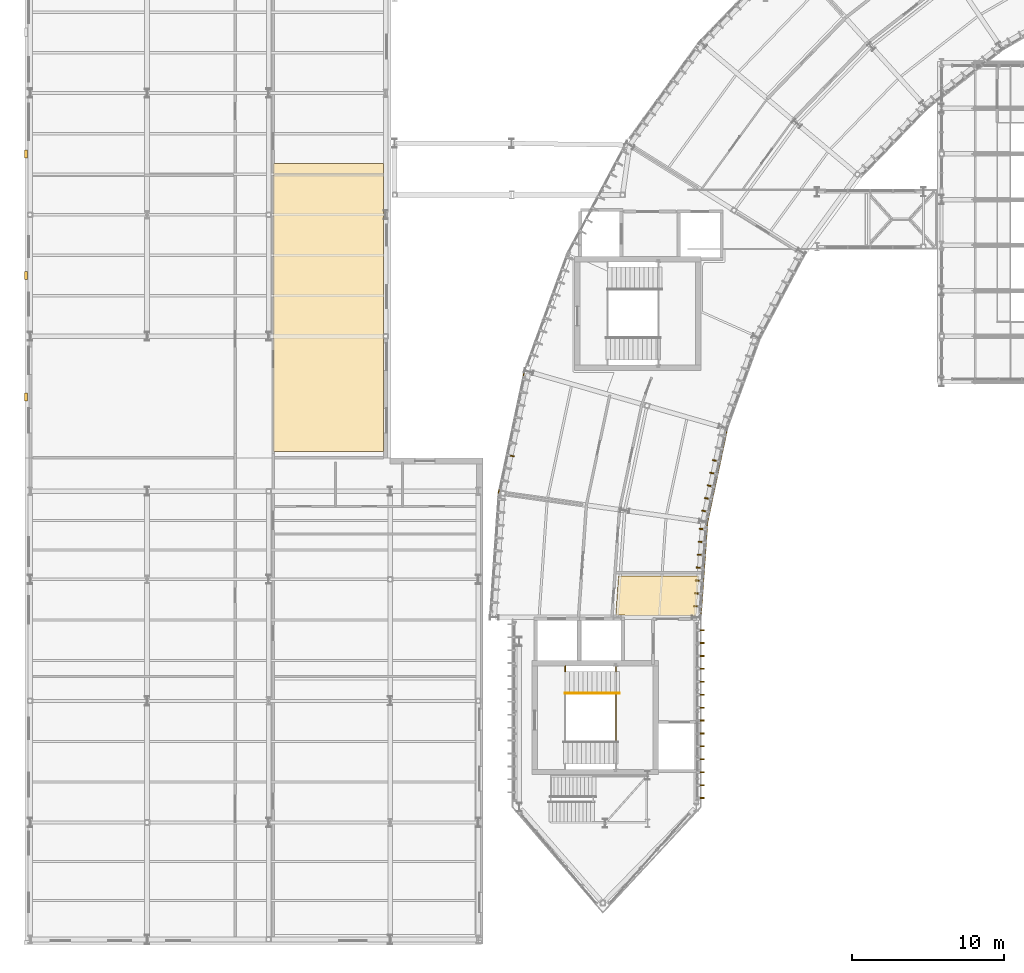
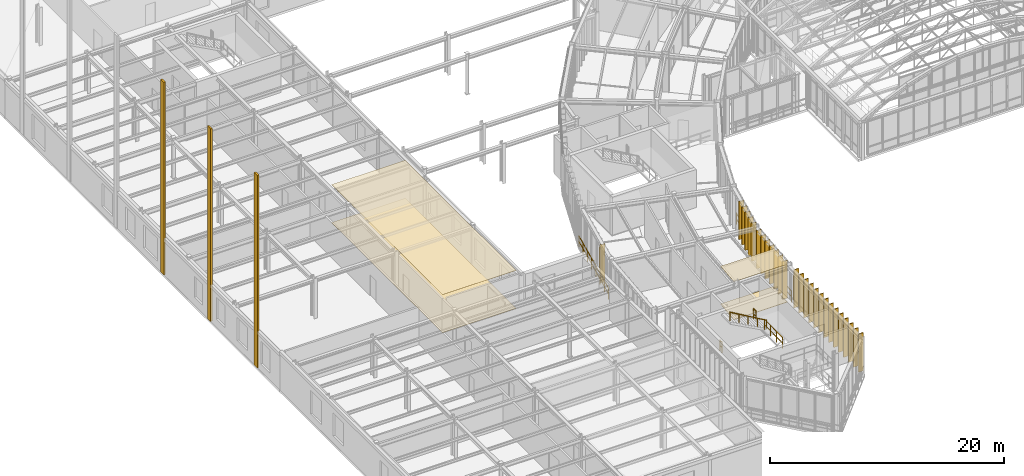
# One storey, part 138 of 148: 34 coverings, 7 railings.
"""IFC4 building model written with IfcOpenShell, lengths in metres."""

from ifc_helpers import new_model, si_unit, direction, frame, origin, origin_2d, place, context, subcontext, project, spatial, polyline, rectangle, circle, outline, extrude, material, layer, layer_set, type_object, element, save


model = new_model("IFC4")

# Units and contexts
model_context = context("Model", 3, precision=1e-05, world=origin(), true_north=direction((0.0, 1.0)))
body_context = subcontext(model_context, "Body", "Model", "MODEL_VIEW")
ifc_project = project(units=[si_unit("LENGTHUNIT", "METRE"), si_unit("AREAUNIT", "SQUARE_METRE"), si_unit("VOLUMEUNIT", "CUBIC_METRE"), si_unit("PLANEANGLEUNIT", "RADIAN"), si_unit("MASSUNIT", "GRAM", prefix="KILO"), si_unit("THERMODYNAMICTEMPERATUREUNIT", "KELVIN"), si_unit("POWERUNIT", "WATT")], contexts=[model_context])

# Site, building, storey
site_placement = place(None, origin())
site = spatial("IfcSite", under=ifc_project, at=site_placement, CompositionType="ELEMENT")
building_placement = place(site_placement, origin())
building = spatial("IfcBuilding", under=site, at=building_placement, Name="Solvatero Civic Police Headquarters", CompositionType="ELEMENT")
storey_placement = place(building_placement, frame((0.0, 0.0, 5.10009765625)))
storey = spatial("IfcBuildingStorey", under=building, at=storey_placement, Name="L01", CompositionType="ELEMENT", Elevation=5.10009765625)

# Coverings
ifc_material_1 = material(Name="Mineral-Fibre Acoustic Tile", Category="gypsum")
ifc_layer_1 = layer(ifc_material_1, 0.02490234375)
ifc_layer_set_1 = layer_set([ifc_layer_1], Name="Mineral-Fibre Acoustic Tile")
covering_type_1 = type_object("IfcCoveringType", Name="COV-CEIL-AC", PredefinedType="CEILING", material=ifc_layer_set_1)
covering_1_placement = place(storey_placement, frame((0.0, 0.0, 3.954833984375)))
element("IfcCovering", 1, at=covering_1_placement, inside=storey, type_object=covering_type_1, Name="Acoustic Ceiling Latent Fingerprint Cyanoacrylate and AFIS Lab", PredefinedType="CEILING", context=body_context, shape_type="SweptSolid", body=[
    extrude(outline(polyline([(28.080078125, 55.8798828125), (28.080078125, 36.919921875), (20.820068359375, 36.919921875), (20.820068359375, 55.8798828125), (28.080078125, 55.8798828125)])), origin(), (0.0, 0.0, 1.0), 0.025146484375),
])
covering_2_placement = place(storey_placement, frame((0.0, 0.0, 3.954833984375)))
element("IfcCovering", 2, at=covering_2_placement, inside=storey, type_object=covering_type_1, Name="Acoustic Ceiling L01 Operations Wing Accessible Restroom", PredefinedType="CEILING", context=body_context, shape_type="SweptSolid", body=[
    extrude(outline(polyline([(44.0126953125, 26.1201171875), (44.0107421875, 26.121826171875), (44.00439453125, 26.12646484375), (43.997802734375, 26.130615234375), (43.990478515625, 26.1337890625), (43.983154296875, 26.13671875), (43.9755859375, 26.138427734375), (43.9677734375, 26.1396484375), (43.9599609375, 26.139892578125), (43.35009765625, 26.139892578125), (43.53125, 28.72998046875), (48.820556640625, 28.72998046875), (48.63818359375, 26.1201171875), (44.0126953125, 26.1201171875)])), origin(), (0.0, 0.0, 1.0), 0.025146484375),
])
ifc_material_2 = material(Name="Anodized Bronze Aluminium", Category="aluminium")
ifc_layer_2 = layer(ifc_material_2, 0.080078125)
ifc_layer_set_2 = layer_set([ifc_layer_2], Name="Anodized Bronze Aluminium")
covering_type_2 = type_object("IfcCoveringType", Name="COV-FIN-480", PredefinedType="CLADDING", material=ifc_layer_set_2)
for number, where, z_axis, x_axis, name in (
    (3, (36.42822265625, 36.643798828125, -0.02001953125), (0.0, 0.0, 1.0), (-0.207911690818, -0.978147600734, 0.0), "Vertical Brise-Soleil Fin 0313"),
    (4, (49.9599609375, 36.30517578125, -0.02001953125), (0.0, 0.0, 1.0), (-0.207911690818, -0.978147600734, 0.0), "Vertical Brise-Soleil Fin 0318"),
    (5, (49.783203125, 35.4736328125, -0.02001953125), (0.0, 0.0, 1.0), (-0.207911690818, -0.978147600734, 0.0), "Vertical Brise-Soleil Fin 0319"),
    (6, (49.606689453125, 34.64208984375, -0.02001953125), (0.0, 0.0, 1.0), (-0.207911690818, -0.978147600734, 0.0), "Vertical Brise-Soleil Fin 0320"),
    (7, (49.429931640625, 33.810791015625, -0.02001953125), (0.0, 0.0, 1.0), (-0.207911690818, -0.978147600734, 0.0), "Vertical Brise-Soleil Fin 0321"),
    (8, (49.253173828125, 32.9794921875, -0.02001953125), (0.0, 0.0, 1.0), (-0.207911690818, -0.978147600734, 0.0), "Vertical Brise-Soleil Fin 0322"),
    (9, (49.07568359375, 31.809326171875, -0.02001953125), (0.0, 0.0, 1.0), (-0.069739062956, -0.997565267588, 0.0), "Vertical Brise-Soleil Fin 0332"),
    (10, (49.016357421875, 30.96142578125, -0.02001953125), (0.0, 0.0, 1.0), (-0.069739062956, -0.997565267588, 0.0), "Vertical Brise-Soleil Fin 0333"),
    (11, (48.95703125, 30.113525390625, -0.02001953125), (0.0, 0.0, 1.0), (-0.069739062956, -0.997565267588, 0.0), "Vertical Brise-Soleil Fin 0334"),
    (12, (48.897705078125, 29.265380859375, -0.02001953125), (0.0, 0.0, 1.0), (-0.069739062956, -0.997565267588, 0.0), "Vertical Brise-Soleil Fin 0335"),
    (13, (48.83837890625, 28.41748046875, -0.02001953125), (0.0, 0.0, 1.0), (-0.069739062956, -0.997565267588, 0.0), "Vertical Brise-Soleil Fin 0336"),
    (14, (48.779296875, 27.569580078125, -0.02001953125), (0.0, 0.0, 1.0), (-0.069739062956, -0.997565267588, 0.0), "Vertical Brise-Soleil Fin 0337"),
    (15, (48.719970703125, 26.7216796875, -0.02001953125), (0.0, 0.0, 1.0), (-0.069739062956, -0.997565267588, 0.0), "Vertical Brise-Soleil Fin 0338"),
    (16, (48.929931640625, 14.110107421875, -0.02001953125), (0.0, 0.0, 1.0), (0.0, 1.0, 0.0), "Vertical Brise-Soleil Fin 0353"),
    (17, (48.929931640625, 14.9599609375, -0.02001953125), (0.0, 0.0, 1.0), (0.0, 1.0, 0.0), "Vertical Brise-Soleil Fin 0354"),
    (18, (48.929931640625, 15.81005859375, -0.02001953125), (0.0, 0.0, 1.0), (0.0, 1.0, 0.0), "Vertical Brise-Soleil Fin 0355"),
    (19, (48.929931640625, 16.659912109375, -0.02001953125), (0.0, 0.0, 1.0), (0.0, 1.0, 0.0), "Vertical Brise-Soleil Fin 0356"),
    (20, (48.929931640625, 17.510009765625, -0.02001953125), (0.0, 0.0, 1.0), (0.0, 1.0, 0.0), "Vertical Brise-Soleil Fin 0357"),
    (21, (48.929931640625, 18.360107421875, -0.02001953125), (0.0, 0.0, 1.0), (0.0, 1.0, 0.0), "Vertical Brise-Soleil Fin 0358"),
    (22, (48.929931640625, 19.2099609375, -0.02001953125), (0.0, 0.0, 1.0), (0.0, 1.0, 0.0), "Vertical Brise-Soleil Fin 0359"),
    (23, (48.929931640625, 20.06005859375, -0.02001953125), (0.0, 0.0, 1.0), (0.0, 1.0, 0.0), "Vertical Brise-Soleil Fin 0360"),
    (24, (48.929931640625, 20.909912109375, -0.02001953125), (0.0, 0.0, 1.0), (0.0, 1.0, 0.0), "Vertical Brise-Soleil Fin 0361"),
    (25, (48.929931640625, 21.760009765625, -0.02001953125), (0.0, 0.0, 1.0), (0.0, 1.0, 0.0), "Vertical Brise-Soleil Fin 0362"),
    (26, (48.929931640625, 22.610107421875, -0.02001953125), (0.0, 0.0, 1.0), (0.0, 1.0, 0.0), "Vertical Brise-Soleil Fin 0363"),
    (27, (48.929931640625, 23.4599609375, -0.02001953125), (0.0, 0.0, 1.0), (0.0, 1.0, 0.0), "Vertical Brise-Soleil Fin 0364"),
    (28, (48.929931640625, 24.31005859375, -0.02001953125), (0.0, 0.0, 1.0), (0.0, 1.0, 0.0), "Vertical Brise-Soleil Fin 0365"),
    (29, (48.929931640625, 25.159912109375, -0.02001953125), (0.0, 0.0, 1.0), (0.0, 1.0, 0.0), "Vertical Brise-Soleil Fin 0366"),
):
    element("IfcCovering", number, at=place(storey_placement, frame(where, z_axis=z_axis, x_axis=x_axis)), inside=storey, type_object=covering_type_2, Name=name, PredefinedType="CLADDING", context=body_context, shape_type="SweptSolid", body=[
        extrude(rectangle(XDim=0.080078125, YDim=0.47998046875, at=origin_2d()), origin(), (0.0, 0.0, 1.0), 3.97998046875),
    ])
ifc_material_3 = material(Name="Anti-Static Laboratory Epoxy", Category="plastic")
ifc_layer_3 = layer(ifc_material_3, 0.014892578125)
ifc_layer_set_3 = layer_set([ifc_layer_3], Name="Anti-Static Laboratory Epoxy")
covering_type_3 = type_object("IfcCoveringType", Name="COV-FLR-EPX", PredefinedType="FLOORING", material=ifc_layer_set_3)
covering_3_placement = place(storey_placement, origin())
element("IfcCovering", 30, at=covering_3_placement, inside=storey, type_object=covering_type_3, Name="Flooring Latent Fingerprint Cyanoacrylate and AFIS Lab", PredefinedType="FLOORING", context=body_context, shape_type="SweptSolid", body=[
    extrude(outline(polyline([(28.080078125, 55.8798828125), (28.080078125, 36.919921875), (20.820068359375, 36.919921875), (20.820068359375, 55.8798828125), (28.080078125, 55.8798828125)])), origin(), (0.0, 0.0, 1.0), 0.014892578125),
])
ifc_material_4 = material(Name="Venetian Terrazzo Stone", Category="masonry")
ifc_layer_4 = layer(ifc_material_4, 0.034912109375)
ifc_layer_set_4 = layer_set([ifc_layer_4], Name="Venetian Terrazzo Stone")
covering_type_4 = type_object("IfcCoveringType", Name="COV-FLR-TER", PredefinedType="FLOORING", material=ifc_layer_set_4)
covering_4_placement = place(storey_placement, origin())
element("IfcCovering", 31, at=covering_4_placement, inside=storey, type_object=covering_type_4, Name="Flooring L01 Operations Wing Accessible Restroom", PredefinedType="FLOORING", context=body_context, shape_type="SweptSolid", body=[
    extrude(outline(polyline([(44.0126953125, 26.1201171875), (44.0107421875, 26.121826171875), (44.00439453125, 26.12646484375), (43.997802734375, 26.130615234375), (43.990478515625, 26.1337890625), (43.983154296875, 26.13671875), (43.9755859375, 26.138427734375), (43.9677734375, 26.1396484375), (43.9599609375, 26.139892578125), (43.35009765625, 26.139892578125), (43.53125, 28.72998046875), (48.820556640625, 28.72998046875), (48.63818359375, 26.1201171875), (44.0126953125, 26.1201171875)])), origin(), (0.0, 0.0, 1.0), 0.034912109375),
])
ifc_material_5 = material(Name="Cream Limestone Ashlar", Category="masonry")
ifc_layer_5 = layer(ifc_material_5, 0.10009765625)
ifc_layer_set_5 = layer_set([ifc_layer_5], Name="Cream Limestone Ashlar")
covering_type_5 = type_object("IfcCoveringType", Name="COV-TRIM-STONE", PredefinedType="CLADDING", material=ifc_layer_set_5)
for number, where, z_axis, x_axis, name in (
    (32, (4.5400390625, 40.5, 0.0498046875), (0.0, 0.0, 1.0), (1.0, 0.0, 0.0), "Classical Limestone Trim PIL-V6-W-40"),
    (33, (4.5400390625, 48.5, 0.0498046875), (0.0, 0.0, 1.0), (1.0, 0.0, 0.0), "Classical Limestone Trim PIL-V6-W-48"),
    (34, (4.5400390625, 56.5, 0.0498046875), (0.0, 0.0, 1.0), (1.0, 0.0, 0.0), "Classical Limestone Trim PIL-V6-W-56"),
):
    element("IfcCovering", number, at=place(storey_placement, frame(where, z_axis=z_axis, x_axis=x_axis)), inside=storey, type_object=covering_type_5, Name=name, PredefinedType="CLADDING", context=body_context, shape_type="SweptSolid", body=[
        extrude(rectangle(XDim=0.179931640625, YDim=0.550048828125, at=origin_2d()), origin(), (0.0, 0.0, 1.0), 20.10009765625),
    ])

# Railings
ifc_material_6 = material(Name="Anodized Bronze and Laminated Glass", Category="glass")
railing_type_1 = type_object("IfcRailingType", Name="RL-BAL-115", PredefinedType="BALUSTRADE", material=ifc_material_6)
railing_1_placement = place(storey_placement, frame((50.685546875, 38.420166015625, 0.0)))
element("IfcRailing", 35, at=railing_1_placement, inside=storey, type_object=railing_type_1, Name="Glazed Facade Sill Balustrade RL-L01-ARCIN-B11", PredefinedType="BALUSTRADE", context=body_context, shape_type="SweptSolid", body=[
    extrude(circle(Radius=0.02392578125, at=origin_2d()), frame((0.0, 0.0, 1.1259765625), z_axis=(-0.207924245306, -0.978144932111, 0.0), x_axis=(0.978144932111, -0.207924245306, 0.0)), (0.0, 0.0, 1.0), 6.28662109375),
    extrude(circle(Radius=0.02392578125, at=origin_2d()), frame((0.0, 0.0, 0.55078125), z_axis=(-0.207924245306, -0.978144932111, 0.0), x_axis=(0.978144932111, -0.207924245306, 0.0)), (0.0, 0.0, 1.0), 6.28662109375),
    extrude(circle(Radius=0.02099609375, at=origin_2d()), origin(), (0.0, 0.0, 1.0), 1.101806640625),
    extrude(circle(Radius=0.02099609375, at=origin_2d()), frame((-0.2177734375, -1.02490234375, 0.0)), (0.0, 0.0, 1.0), 1.101806640625),
    extrude(circle(Radius=0.02099609375, at=origin_2d()), frame((-0.435791015625, -2.0498046875, 0.0)), (0.0, 0.0, 1.0), 1.101806640625),
    extrude(circle(Radius=0.02099609375, at=origin_2d()), frame((-0.653564453125, -3.07470703125, 0.0)), (0.0, 0.0, 1.0), 1.101806640625),
    extrude(circle(Radius=0.02099609375, at=origin_2d()), frame((-0.871337890625, -4.099365234375, 0.0)), (0.0, 0.0, 1.0), 1.101806640625),
    extrude(circle(Radius=0.02099609375, at=origin_2d()), frame((-1.08935546875, -5.124267578125, 0.0)), (0.0, 0.0, 1.0), 1.101806640625),
    extrude(circle(Radius=0.02099609375, at=origin_2d()), frame((-1.30712890625, -6.149169921875, 0.0)), (0.0, 0.0, 1.0), 1.101806640625),
])
railing_2_placement = place(storey_placement, frame((37.34326171875, 42.24609375, 0.0)))
element("IfcRailing", 36, at=railing_2_placement, inside=storey, type_object=railing_type_1, Name="Glazed Facade Sill Balustrade RL-L01-ARCOUT-B11", PredefinedType="BALUSTRADE", context=body_context, shape_type="SweptSolid", body=[
    extrude(circle(Radius=0.02392578125, at=origin_2d()), frame((0.0, 0.0, 1.1259765625), z_axis=(-0.207920896775, -0.978145643902, 0.0), x_axis=(0.978145643902, -0.207920896775, 0.0)), (0.0, 0.0, 1.0), 8.222900390625),
    extrude(circle(Radius=0.02392578125, at=origin_2d()), frame((0.0, 0.0, 0.55078125), z_axis=(-0.207920896775, -0.978145643902, 0.0), x_axis=(0.978145643902, -0.207920896775, 0.0)), (0.0, 0.0, 1.0), 8.222900390625),
    extrude(circle(Radius=0.02099609375, at=origin_2d()), origin(), (0.0, 0.0, 1.0), 1.101806640625),
    extrude(circle(Radius=0.02099609375, at=origin_2d()), frame((-0.244140625, -1.14892578125, 0.0)), (0.0, 0.0, 1.0), 1.101806640625),
    extrude(circle(Radius=0.02099609375, at=origin_2d()), frame((-0.488525390625, -2.298095703125, 0.0)), (0.0, 0.0, 1.0), 1.101806640625),
    extrude(circle(Radius=0.02099609375, at=origin_2d()), frame((-0.732666015625, -3.447021484375, 0.0)), (0.0, 0.0, 1.0), 1.101806640625),
    extrude(circle(Radius=0.02099609375, at=origin_2d()), frame((-0.97705078125, -4.59619140625, 0.0)), (0.0, 0.0, 1.0), 1.101806640625),
    extrude(circle(Radius=0.02099609375, at=origin_2d()), frame((-1.22119140625, -5.7451171875, 0.0)), (0.0, 0.0, 1.0), 1.101806640625),
    extrude(circle(Radius=0.02099609375, at=origin_2d()), frame((-1.465576171875, -6.894287109375, 0.0)), (0.0, 0.0, 1.0), 1.101806640625),
    extrude(circle(Radius=0.02099609375, at=origin_2d()), frame((-1.709716796875, -8.043212890625, 0.0)), (0.0, 0.0, 1.0), 1.101806640625),
])
railing_3_placement = place(storey_placement, frame((49.37841796875, 32.27099609375, 0.0)))
element("IfcRailing", 37, at=railing_3_placement, inside=storey, type_object=railing_type_1, Name="Glazed Facade Sill Balustrade RL-L01-ARCIN-B12", PredefinedType="BALUSTRADE", context=body_context, shape_type="SweptSolid", body=[
    extrude(circle(Radius=0.02392578125, at=origin_2d()), frame((0.0, 0.0, 1.1259765625), z_axis=(-0.069751059496, -0.997564428846, 0.0), x_axis=(0.997564428846, -0.069751059496, 0.0)), (0.0, 0.0, 1.0), 6.286376953125),
    extrude(circle(Radius=0.02392578125, at=origin_2d()), frame((0.0, 0.0, 0.55078125), z_axis=(-0.069751059496, -0.997564428846, 0.0), x_axis=(0.997564428846, -0.069751059496, 0.0)), (0.0, 0.0, 1.0), 6.286376953125),
    extrude(circle(Radius=0.02099609375, at=origin_2d()), origin(), (0.0, 0.0, 1.0), 1.101806640625),
    extrude(circle(Radius=0.02099609375, at=origin_2d()), frame((-0.072998046875, -1.045166015625, 0.0)), (0.0, 0.0, 1.0), 1.101806640625),
    extrude(circle(Radius=0.02099609375, at=origin_2d()), frame((-0.146240234375, -2.09033203125, 0.0)), (0.0, 0.0, 1.0), 1.101806640625),
    extrude(circle(Radius=0.02099609375, at=origin_2d()), frame((-0.21923828125, -3.135498046875, 0.0)), (0.0, 0.0, 1.0), 1.101806640625),
    extrude(circle(Radius=0.02099609375, at=origin_2d()), frame((-0.292236328125, -4.1806640625, 0.0)), (0.0, 0.0, 1.0), 1.101806640625),
    extrude(circle(Radius=0.02099609375, at=origin_2d()), frame((-0.365478515625, -5.225830078125, 0.0)), (0.0, 0.0, 1.0), 1.101806640625),
    extrude(circle(Radius=0.02099609375, at=origin_2d()), frame((-0.4384765625, -6.27099609375, 0.0)), (0.0, 0.0, 1.0), 1.101806640625),
])
ifc_material_7 = material(Name="Painted Galvanized Steel", Category="steel")
railing_type_2 = type_object("IfcRailingType", Name="RL-GRD-110", PredefinedType="GUARDRAIL", material=ifc_material_7)
railing_4_placement = place(storey_placement, frame((40.030029296875, 22.429931640625, 0.0)))
element("IfcRailing", 38, at=railing_4_placement, inside=storey, type_object=railing_type_2, Name="ST-C1 L01 Floor Well North Slot Guardrail", PredefinedType="GUARDRAIL", context=body_context, shape_type="SweptSolid", body=[
    extrude(circle(Radius=0.02392578125, at=origin_2d()), frame((0.0, 0.0, 1.09619140625), z_axis=(0.0, 1.0, 0.0), x_axis=(-1.0, 0.0, 0.0)), (0.0, 0.0, 1.0), 0.360107421875),
    extrude(circle(Radius=0.02392578125, at=origin_2d()), frame((0.0, 0.0, 0.5361328125), z_axis=(0.0, 1.0, 0.0), x_axis=(-1.0, 0.0, 0.0)), (0.0, 0.0, 1.0), 0.360107421875),
    extrude(circle(Radius=0.02099609375, at=origin_2d()), origin(), (0.0, 0.0, 1.0), 1.072021484375),
    extrude(circle(Radius=0.02099609375, at=origin_2d()), frame((0.0, 0.360107421875, 0.0)), (0.0, 0.0, 1.0), 1.072021484375),
])
railing_5_placement = place(storey_placement, frame((43.3701171875, 17.830078125, 2.099853515625)))
element("IfcRailing", 39, at=railing_5_placement, inside=storey, type_object=railing_type_2, Name="ST-C1 L01 Half-Landing Well Guardrail", PredefinedType="GUARDRAIL", context=body_context, shape_type="SweptSolid", body=[
    extrude(circle(Radius=0.02392578125, at=origin_2d()), frame((0.0, 0.0, 1.09619140625), z_axis=(0.0, 1.0, 0.0), x_axis=(-1.0, 0.0, 0.0)), (0.0, 0.0, 1.0), 3.139892578125),
    extrude(circle(Radius=0.02392578125, at=origin_2d()), frame((0.0, 0.0, 0.5361328125), z_axis=(0.0, 1.0, 0.0), x_axis=(-1.0, 0.0, 0.0)), (0.0, 0.0, 1.0), 3.139892578125),
    extrude(circle(Radius=0.02099609375, at=origin_2d()), origin(), (0.0, 0.0, 1.0), 1.072021484375),
    extrude(circle(Radius=0.02099609375, at=origin_2d()), frame((0.0, 1.046630859375, 0.0)), (0.0, 0.0, 1.0), 1.072021484375),
    extrude(circle(Radius=0.02099609375, at=origin_2d()), frame((0.0, 2.09326171875, 0.0)), (0.0, 0.0, 1.0), 1.072021484375),
    extrude(circle(Radius=0.02099609375, at=origin_2d()), frame((0.0, 3.139892578125, 0.0)), (0.0, 0.0, 1.0), 1.072021484375),
])
railing_6_placement = place(storey_placement, frame((43.3701171875, 22.429931640625, 2.099853515625)))
element("IfcRailing", 40, at=railing_6_placement, inside=storey, type_object=railing_type_2, Name="ST-C1 L01 Half-Landing North Slot Guardrail", PredefinedType="GUARDRAIL", context=body_context, shape_type="SweptSolid", body=[
    extrude(circle(Radius=0.02392578125, at=origin_2d()), frame((0.0, 0.0, 1.09619140625), z_axis=(0.0, 1.0, 0.0), x_axis=(-1.0, 0.0, 0.0)), (0.0, 0.0, 1.0), 0.360107421875),
    extrude(circle(Radius=0.02392578125, at=origin_2d()), frame((0.0, 0.0, 0.5361328125), z_axis=(0.0, 1.0, 0.0), x_axis=(-1.0, 0.0, 0.0)), (0.0, 0.0, 1.0), 0.360107421875),
    extrude(circle(Radius=0.02099609375, at=origin_2d()), origin(), (0.0, 0.0, 1.0), 1.072021484375),
    extrude(circle(Radius=0.02099609375, at=origin_2d()), frame((0.0, 0.360107421875, 0.0)), (0.0, 0.0, 1.0), 1.072021484375),
])
ifc_material_8 = material(Name="Brushed Stainless Steel", Category="steel")
railing_type_3 = type_object("IfcRailingType", Name="RL-HND-092", PredefinedType="HANDRAIL", material=ifc_material_8)
railing_7_placement = place(storey_placement, frame((43.60009765625, 21.0, 2.099853515625)))
element("IfcRailing", 41, at=railing_7_placement, inside=storey, type_object=railing_type_3, Name="ST-C1 L01 Flight 2 Handrail", PredefinedType="HANDRAIL", context=body_context, shape_type="SweptSolid", body=[
    extrude(circle(Radius=0.02392578125, at=origin_2d()), frame((0.0, 0.0, 0.89599609375), z_axis=(-0.863774651768, 0.0, 0.503878309678), x_axis=(0.0, -1.0, 0.0)), (0.0, 0.0, 1.0), 4.16796875),
    extrude(circle(Radius=0.02099609375, at=origin_2d()), origin(), (0.0, 0.0, 1.0), 0.871826171875),
    extrude(circle(Radius=0.02099609375, at=origin_2d()), frame((-0.89990234375, 0.0, 0.52490234375)), (0.0, 0.0, 1.0), 0.871826171875),
    extrude(circle(Radius=0.02099609375, at=origin_2d()), frame((-1.800048828125, 0.0, 1.050048828125)), (0.0, 0.0, 1.0), 0.871826171875),
    extrude(circle(Radius=0.02099609375, at=origin_2d()), frame((-2.7001953125, 0.0, 1.5751953125)), (0.0, 0.0, 1.0), 0.871826171875),
    extrude(circle(Radius=0.02099609375, at=origin_2d()), frame((-3.60009765625, 0.0, 2.10009765625)), (0.0, 0.0, 1.0), 0.871826171875),
])

save(model, "model.ifc")
